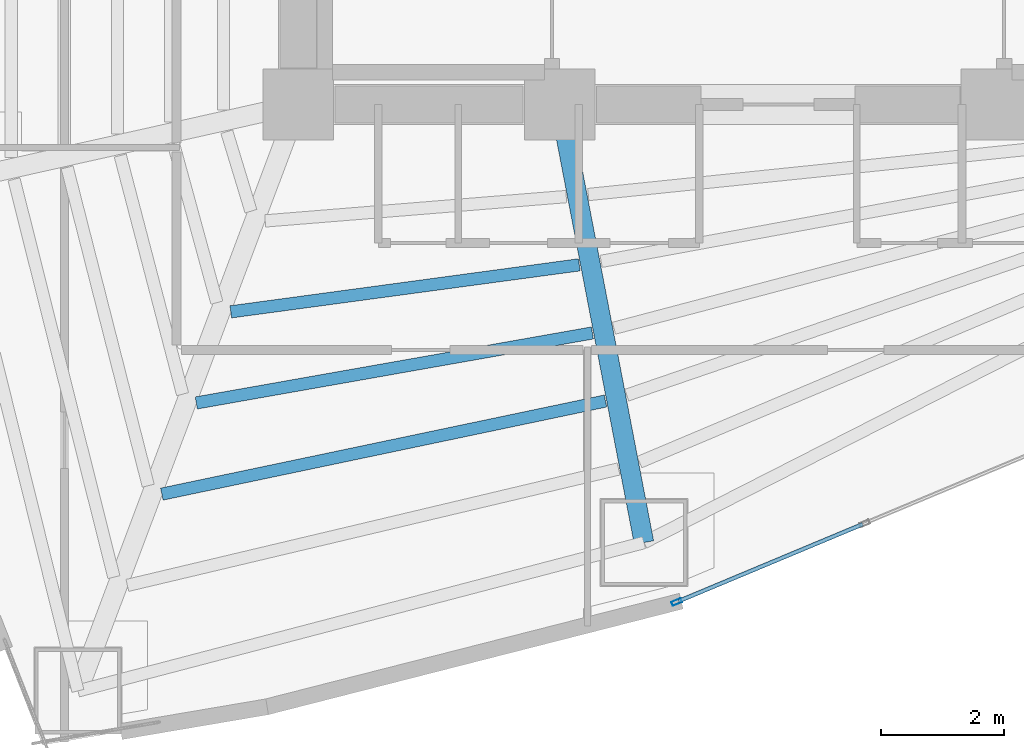
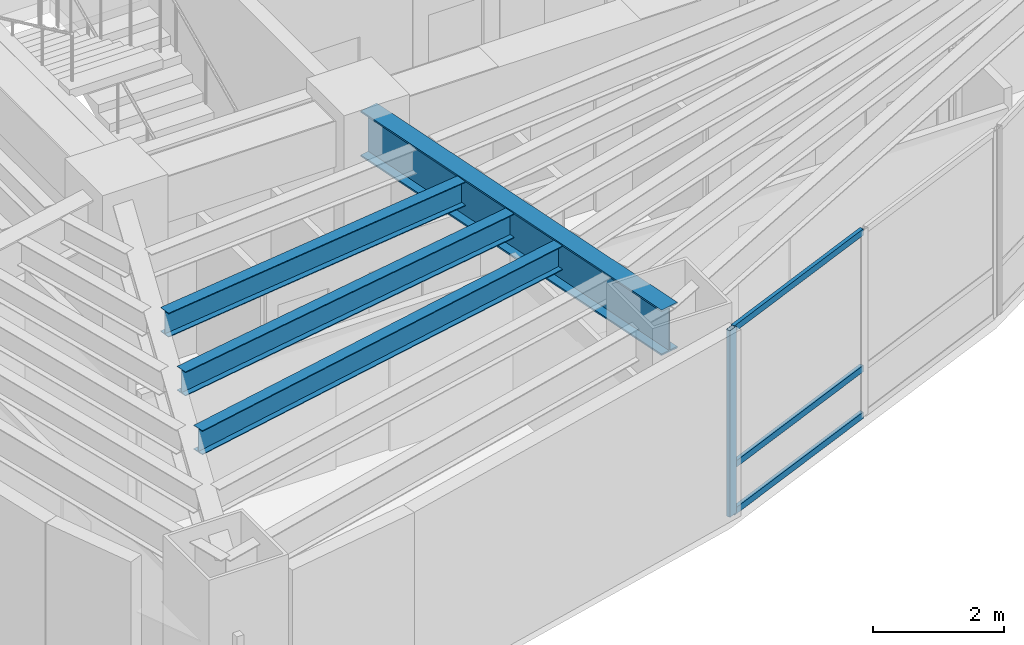
# One storey, part 2 of 17: 4 beams, 4 members, 1 element without a shape of its own.
"""IFC4 building model written with IfcOpenShell, lengths in metres."""

from ifc_helpers import new_model, si_unit, direction, frame, origin, origin_2d, place, context, subcontext, project, spatial, hollow_rectangle, i_section, extrude, material, layer, layer_set, material_profile, profile_set, type_object, element, aggregate, save


model = new_model("IFC4")

# Units and contexts
model_context = context("Model", 3, precision=1e-05, world=origin(), true_north=direction((0.0, 1.0)))
body_context = subcontext(model_context, "Body", "Model", "MODEL_VIEW")
ifc_project = project(units=[si_unit("LENGTHUNIT", "METRE"), si_unit("AREAUNIT", "SQUARE_METRE"), si_unit("VOLUMEUNIT", "CUBIC_METRE"), si_unit("PLANEANGLEUNIT", "RADIAN"), si_unit("MASSUNIT", "GRAM", prefix="KILO")], contexts=[model_context])

# Site, building, storey
site_placement = place(None, origin())
site = spatial("IfcSite", under=ifc_project, at=site_placement, CompositionType="ELEMENT")
building_placement = place(site_placement, origin())
building = spatial("IfcBuilding", under=site, at=building_placement, Name="Menara Vayukalpa", CompositionType="ELEMENT")
storey_placement = place(building_placement, frame((0.0, 0.0, 42.47998046875)))
storey = spatial("IfcBuildingStorey", under=building, at=storey_placement, Name="L09", CompositionType="ELEMENT", Elevation=42.47998046875)

# Beams
ifc_material_1 = material(Name="Steel S355", Category="steel")
ifc_material_profile_1 = material_profile(ifc_material_1, i_section(OverallWidth=0.320068359375, OverallDepth=0.85009765625, WebThickness=0.01611328125, FlangeThickness=0.030029296875, at=origin_2d()), Name="WF 850x320x16x30")
ifc_profile_set_1 = profile_set([ifc_material_profile_1], Name="Steel S355")
beam_type_1 = type_object("IfcBeamType", Name="BM-PG2", PredefinedType="BEAM", material=ifc_profile_set_1)
beam_1_placement = place(storey_placement, frame((22.09716796875, 16.95458984375, 3.044921875), z_axis=(0.188803432672, -0.982014899995, 0.0), x_axis=(0.982014899995, 0.188803432672, 0.0)))
element("IfcBeam", 1, at=beam_1_placement, inside=storey, type_object=beam_type_1, Name="L09 Primary Radial Girder RG08", PredefinedType="BEAM", context=body_context, shape_type="SweptSolid", body=[
    extrude(i_section(OverallWidth=0.320068359375, OverallDepth=0.85009765625, WebThickness=0.01611328125, FlangeThickness=0.030029296875, at=origin_2d()), origin(), (0.0, 0.0, 1.0), 7.00341796875),
])
ifc_material_2 = material(Name="Steel S355", Category="steel")
ifc_material_profile_2 = material_profile(ifc_material_2, i_section(OverallWidth=0.199951171875, OverallDepth=0.449951171875, WebThickness=0.009033203125, FlangeThickness=0.013916015625, at=origin_2d()), Name="WF 450x200x9x14")
ifc_profile_set_2 = profile_set([ifc_material_profile_2], Name="Steel S355")
beam_type_2 = type_object("IfcBeamType", Name="BM-SJ1", PredefinedType="JOIST", material=ifc_profile_set_2)
beam_2_placement = place(storey_placement, frame((16.702392578125, 13.827880859375, 3.2451171875), z_axis=(0.991021966654, 0.13369914588, 0.0), x_axis=(-0.13369914588, 0.991021966654, 0.0)))
element("IfcBeam", 2, at=beam_2_placement, inside=storey, type_object=beam_type_2, Name="L09 Secondary Floor Joist SJ07-2", PredefinedType="JOIST", context=body_context, shape_type="SweptSolid", body=[
    extrude(i_section(OverallWidth=0.199951171875, OverallDepth=0.449951171875, WebThickness=0.009033203125, FlangeThickness=0.013916015625, at=origin_2d()), origin(), (0.0, 0.0, 1.0), 5.71728515625),
])
beam_3_placement = place(storey_placement, frame((16.14208984375, 12.34716796875, 3.2451171875), z_axis=(0.984753096925, 0.173957862993, 0.0), x_axis=(-0.173957862993, 0.984753096925, 0.0)))
element("IfcBeam", 3, at=beam_3_placement, inside=storey, type_object=beam_type_2, Name="L09 Secondary Floor Joist SJ07-3", PredefinedType="JOIST", context=body_context, shape_type="SweptSolid", body=[
    extrude(i_section(OverallWidth=0.199951171875, OverallDepth=0.449951171875, WebThickness=0.009033203125, FlangeThickness=0.013916015625, at=origin_2d()), origin(), (0.0, 0.0, 1.0), 6.53857421875),
])
beam_4_placement = place(storey_placement, frame((15.581787109375, 10.86474609375, 3.2451171875), z_axis=(0.978676146728, 0.205409346977, 0.0), x_axis=(-0.205409346977, 0.978676146728, 0.0)))
element("IfcBeam", 4, at=beam_4_placement, inside=storey, type_object=beam_type_2, Name="L09 Secondary Floor Joist SJ07-4", PredefinedType="JOIST", context=body_context, shape_type="SweptSolid", body=[
    extrude(i_section(OverallWidth=0.199951171875, OverallDepth=0.449951171875, WebThickness=0.009033203125, FlangeThickness=0.013916015625, at=origin_2d()), origin(), (0.0, 0.0, 1.0), 7.369140625),
])

# Curtain wall, members
ifc_material_3 = material(Name="Anodised Terracotta Aluminium Alloy 6063-T6", Category="masonry")
ifc_layer = layer(ifc_material_3, 0.1650390625)
ifc_layer_set = layer_set([ifc_layer], Name="Anodised Terracotta Aluminium Alloy 6063-T6")
curtain_wall_type = type_object("IfcCurtainWallType", Name="CW-CW2", PredefinedType="USERDEFINED", material=ifc_layer_set)
curtain_wall_placement = place(storey_placement, origin())
curtain_wall = element("IfcCurtainWall", 5, at=curtain_wall_placement, inside=storey, type_object=curtain_wall_type, Name="L09 Low Rise Terracotta Ribbon Curtain Wall CW2 16", ObjectType="UNITISED", PredefinedType="USERDEFINED")
ifc_material_4 = material(Name="Anodised Terracotta Aluminium Alloy 6063-T6", Category="masonry")
ifc_material_profile_3 = material_profile(ifc_material_4, hollow_rectangle(XDim=0.070068359375, YDim=0.1650390625, WallThickness=0.00390625, at=origin_2d()), Name="ALU 70x165x4")
ifc_profile_set_3 = profile_set([ifc_material_profile_3], Name="Anodised Terracotta Aluminium Alloy 6063-T6")
member_type_1 = type_object("IfcMemberType", Name="CWM-CW2", PredefinedType="MULLION", material=ifc_profile_set_3)
member_1_placement = place(storey_placement, frame((23.950927734375, 9.110595703125, 0.0), z_axis=(0.0, 0.0, 1.0), x_axis=(-0.385895120445, 0.922542658101, 0.0)))
member_1 = element("IfcMember", 6, at=member_1_placement, type_object=member_type_1, Name="CW2 mullion 1", PredefinedType="MULLION", context=body_context, shape_type="SweptSolid", body=[
    extrude(hollow_rectangle(XDim=0.070068359375, YDim=0.1650390625, WallThickness=0.00390625, at=origin_2d()), origin(), (0.0, 0.0, 1.0), 3.469970703125),
])
ifc_material_5 = material(Name="Anodised Terracotta Aluminium Alloy 6063-T6", Category="masonry")
ifc_material_profile_4 = material_profile(ifc_material_5, hollow_rectangle(XDim=0.06494140625, YDim=0.1201171875, WallThickness=0.00341796875, at=origin_2d()), Name="ALU 65x120x3.5")
ifc_profile_set_4 = profile_set([ifc_material_profile_4], Name="Anodised Terracotta Aluminium Alloy 6063-T6")
member_type_2 = type_object("IfcMemberType", Name="CWT-CW2", PredefinedType="USERDEFINED", material=ifc_profile_set_4)
member_2_placement = place(storey_placement, frame((23.983154296875, 9.1240234375, 0.032470703125), z_axis=(0.922552588381, 0.385871379699, 0.0), x_axis=(-0.385871379699, 0.922552588381, 0.0)))
member_2 = element("IfcMember", 7, at=member_2_placement, type_object=member_type_2, Name="CW2 transom 1.1", ObjectType="TRANSOM", PredefinedType="USERDEFINED", context=body_context, shape_type="SweptSolid", body=[
    extrude(hollow_rectangle(XDim=0.06494140625, YDim=0.1201171875, WallThickness=0.00341796875, at=origin_2d()), origin(), (0.0, 0.0, 1.0), 3.24267578125),
])
member_3_placement = place(storey_placement, frame((23.983154296875, 9.1240234375, 0.89990234375), z_axis=(0.922552588381, 0.385871379699, 0.0), x_axis=(-0.385871379699, 0.922552588381, 0.0)))
member_3 = element("IfcMember", 8, at=member_3_placement, type_object=member_type_2, Name="CW2 transom 1.2", ObjectType="TRANSOM", PredefinedType="USERDEFINED", context=body_context, shape_type="SweptSolid", body=[
    extrude(hollow_rectangle(XDim=0.06494140625, YDim=0.1201171875, WallThickness=0.00341796875, at=origin_2d()), origin(), (0.0, 0.0, 1.0), 3.24267578125),
])
member_4_placement = place(storey_placement, frame((23.983154296875, 9.1240234375, 3.4375), z_axis=(0.922552588381, 0.385871379699, 0.0), x_axis=(-0.385871379699, 0.922552588381, 0.0)))
member_4 = element("IfcMember", 9, at=member_4_placement, type_object=member_type_2, Name="CW2 transom 1.3", ObjectType="TRANSOM", PredefinedType="USERDEFINED", context=body_context, shape_type="SweptSolid", body=[
    extrude(hollow_rectangle(XDim=0.06494140625, YDim=0.1201171875, WallThickness=0.00341796875, at=origin_2d()), origin(), (0.0, 0.0, 1.0), 3.24267578125),
])
aggregate(curtain_wall, [member_1, member_2, member_3, member_4])

save(model, "model.ifc")
